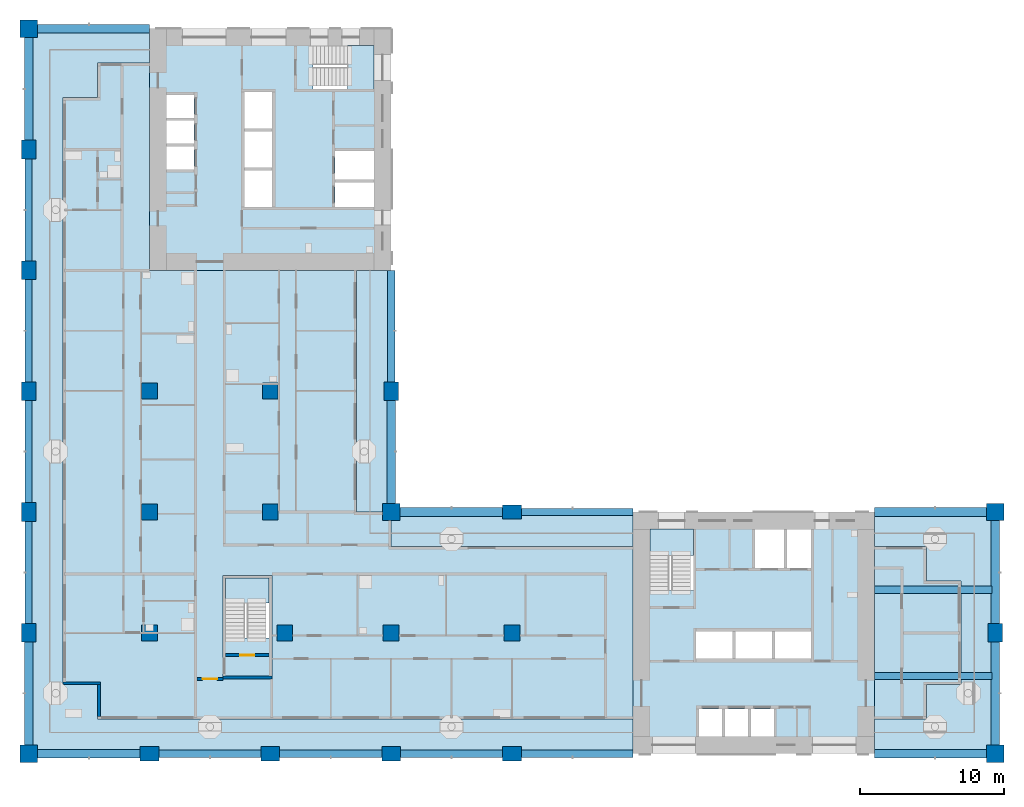
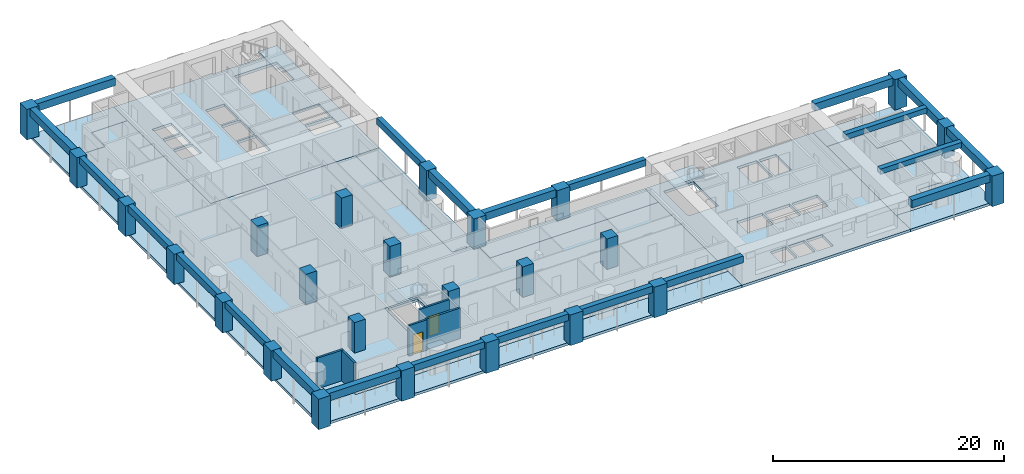
# One storey, part 1 of 18: 25 columns, 22 beams, 12 slabs, 5 walls, 2 doors, 2 openings, 3 elements without a shape of their own.
"""IFC4 building model written with IfcOpenShell, lengths in metres."""

from ifc_helpers import new_model, si_unit, direction, frame, frame_2d, origin, origin_2d, place, context, subcontext, project, spatial, polyline, rectangle, outline, extrude, material, layer, layer_set, material_profile, profile_set, type_object, element, fill, aggregate, save


model = new_model("IFC4")

# Units and contexts
model_context = context("Model", 3, precision=1e-05, world=origin(), true_north=direction((0.0, 1.0)))
body_context = subcontext(model_context, "Body", "Model", "MODEL_VIEW")
ifc_project = project(units=[si_unit("LENGTHUNIT", "METRE"), si_unit("AREAUNIT", "SQUARE_METRE"), si_unit("VOLUMEUNIT", "CUBIC_METRE"), si_unit("PLANEANGLEUNIT", "RADIAN"), si_unit("MASSUNIT", "GRAM", prefix="KILO")], contexts=[model_context])

# Site, building, storey
site_placement = place(None, origin())
site = spatial("IfcSite", under=ifc_project, at=site_placement, CompositionType="ELEMENT")
building_placement = place(site_placement, origin())
building = spatial("IfcBuilding", under=site, at=building_placement, Name="Vermilion Gate Residences", CompositionType="ELEMENT")
storey_placement = place(building_placement, frame((0.0, 0.0, 105.699951171875)))
storey = spatial("IfcBuildingStorey", under=building, at=storey_placement, Name="L26", CompositionType="ELEMENT", Elevation=105.699951171875)

# Columns
ifc_material_1 = material(Name="Concrete C70", Category="concrete")
ifc_material_profile_1 = material_profile(ifc_material_1, rectangle(XDim=1.10009765625, YDim=1.10009765625, at=origin_2d()), Name="RC-1100x1100")
ifc_profile_set_1 = profile_set([ifc_material_profile_1], Name="Concrete C70")
column_type_1 = type_object("IfcColumnType", Name="RC COLUMN 1100 X 1100 C70", PredefinedType="COLUMN", material=ifc_profile_set_1)
for number, where, z_axis, x_axis, name in (
    (1, (8.39990234375, 16.800048828125, 0.0), (0.0, 0.0, 1.0), (1.0, 0.0, 0.0), "Column 2-C L26"),
    (2, (8.39990234375, 25.199951171875, 0.0), (0.0, 0.0, 1.0), (1.0, 0.0, 0.0), "Column 2-D L26"),
    (3, (8.39990234375, 33.60009765625, 0.0), (0.0, 0.0, 1.0), (1.0, 0.0, 0.0), "Column 2-E L26"),
    (4, (17.800048828125, 16.800048828125, 0.0), (0.0, 0.0, 1.0), (1.0, 0.0, 0.0), "Column 3-C L26"),
    (5, (16.800048828125, 25.199951171875, 0.0), (0.0, 0.0, 1.0), (1.0, 0.0, 0.0), "Column 3-D L26"),
    (6, (16.800048828125, 33.60009765625, 0.0), (0.0, 0.0, 1.0), (1.0, 0.0, 0.0), "Column 3-E L26"),
    (7, (25.199951171875, 16.800048828125, 0.0), (0.0, 0.0, 1.0), (1.0, 0.0, 0.0), "Column 4-C L26"),
    (8, (33.60009765625, 16.800048828125, 0.0), (0.0, 0.0, 1.0), (1.0, 0.0, 0.0), "Column 5-C L26"),
):
    element("IfcColumn", number, at=place(storey_placement, frame(where, z_axis=z_axis, x_axis=x_axis)), inside=storey, type_object=column_type_1, Name=name, PredefinedType="COLUMN", context=body_context, shape_type="SweptSolid", body=[
        extrude(rectangle(XDim=1.10009765625, YDim=1.10009765625, at=origin_2d()), origin(), (0.0, 0.0, 1.0), 3.219970703125),
    ])
ifc_material_2 = material(Name="Concrete C70", Category="concrete")
ifc_material_profile_2 = material_profile(ifc_material_2, rectangle(XDim=1.199951171875, YDim=1.199951171875, at=origin_2d()), Name="RC-1200x1200")
ifc_profile_set_2 = profile_set([ifc_material_profile_2], Name="Concrete C70")
column_type_2 = type_object("IfcColumnType", Name="RC COLUMN 1200 X 1200 C70", PredefinedType="COLUMN", material=ifc_profile_set_2)
for number, where, z_axis, x_axis, name in (
    (9, (0.0, 8.39990234375, 0.0), (0.0, 0.0, 1.0), (1.0, 0.0, 0.0), "Column 1-B L26"),
    (10, (0.0, 58.800048828125, 0.0), (0.0, 0.0, 1.0), (1.0, 0.0, 0.0), "Column 1-H L26"),
    (11, (25.199951171875, 25.199951171875, 0.0), (0.0, 0.0, 1.0), (1.0, 0.0, 0.0), "Column 4-D L26"),
    (12, (67.199951171875, 8.39990234375, 0.0), (0.0, 0.0, 1.0), (1.0, 0.0, 0.0), "Column 9-B L26"),
    (13, (67.199951171875, 25.199951171875, 0.0), (0.0, 0.0, 1.0), (1.0, 0.0, 0.0), "Column 9-D L26"),
):
    element("IfcColumn", number, at=place(storey_placement, frame(where, z_axis=z_axis, x_axis=x_axis)), inside=storey, type_object=column_type_2, Name=name, PredefinedType="COLUMN", context=body_context, shape_type="SweptSolid", body=[
        extrude(rectangle(XDim=1.199951171875, YDim=1.199951171875, at=origin_2d()), origin(), (0.0, 0.0, 1.0), 3.219970703125),
    ])
ifc_material_3 = material(Name="Concrete C70", Category="concrete")
ifc_material_profile_3 = material_profile(ifc_material_3, rectangle(XDim=1.300048828125, YDim=1.0, at=origin_2d()), Name="RC-1300x1000")
ifc_profile_set_3 = profile_set([ifc_material_profile_3], Name="Concrete C70")
column_type_3 = type_object("IfcColumnType", Name="RC COLUMN 1300 X 1000 C70", PredefinedType="COLUMN", material=ifc_profile_set_3)
for number, where, z_axis, x_axis, name in (
    (14, (0.0, 16.800048828125, 0.0), (0.0, 0.0, 1.0), (0.0, 1.0, 0.0), "Column 1-C L26"),
    (15, (0.0, 25.199951171875, 0.0), (0.0, 0.0, 1.0), (0.0, 1.0, 0.0), "Column 1-D L26"),
    (16, (0.0, 33.60009765625, 0.0), (0.0, 0.0, 1.0), (0.0, 1.0, 0.0), "Column 1-E L26"),
    (17, (0.0, 42.0, 0.0), (0.0, 0.0, 1.0), (0.0, 1.0, 0.0), "Column 1-F L26"),
    (18, (0.0, 50.39990234375, 0.0), (0.0, 0.0, 1.0), (0.0, 1.0, 0.0), "Column 1-G L26"),
    (19, (8.39990234375, 8.39990234375, 0.0), (0.0, 0.0, 1.0), (1.0, 0.0, 0.0), "Column 2-B L26"),
    (20, (16.800048828125, 8.39990234375, 0.0), (0.0, 0.0, 1.0), (1.0, 0.0, 0.0), "Column 3-B L26"),
    (21, (25.199951171875, 8.39990234375, 0.0), (0.0, 0.0, 1.0), (1.0, 0.0, 0.0), "Column 4-B L26"),
    (22, (25.199951171875, 33.60009765625, 0.0), (0.0, 0.0, 1.0), (0.0, 1.0, 0.0), "Column 4-E L26"),
    (23, (33.60009765625, 8.39990234375, 0.0), (0.0, 0.0, 1.0), (1.0, 0.0, 0.0), "Column 5-B L26"),
    (24, (33.60009765625, 25.199951171875, 0.0), (0.0, 0.0, 1.0), (1.0, 0.0, 0.0), "Column 5-D L26"),
    (25, (67.199951171875, 16.800048828125, 0.0), (0.0, 0.0, 1.0), (0.0, 1.0, 0.0), "Column 9-C L26"),
):
    element("IfcColumn", number, at=place(storey_placement, frame(where, z_axis=z_axis, x_axis=x_axis)), inside=storey, type_object=column_type_3, Name=name, PredefinedType="COLUMN", context=body_context, shape_type="SweptSolid", body=[
        extrude(rectangle(XDim=1.300048828125, YDim=1.0, at=origin_2d()), origin(), (0.0, 0.0, 1.0), 3.219970703125),
    ])

# Beams
ifc_material_4 = material(Name="Concrete C60 red-oxide pigmented", Category="concrete")
ifc_material_profile_4 = material_profile(ifc_material_4, rectangle(XDim=0.60009765625, YDim=0.800048828125, at=origin_2d()), Name="RC-600x800")
ifc_profile_set_4 = profile_set([ifc_material_profile_4], Name="Concrete C60 red-oxide pigmented")
beam_type_1 = type_object("IfcBeamType", Name="RC CORNER EDGE BEAM 600 X 800 C60", PredefinedType="BEAM", material=ifc_profile_set_4)
for number, where, z_axis, x_axis, name in (
    (26, (0.60009765625, 8.39990234375, 2.820068359375), (1.0, 0.0, 0.0), (0.0, 1.0, 0.0), "Corner edge beam L26 1"),
    (27, (0.0, 9.0, 2.820068359375), (0.0, 1.0, 0.0), (-1.0, 0.0, 0.0), "Corner edge beam L26 2"),
):
    element("IfcBeam", number, at=place(storey_placement, frame(where, z_axis=z_axis, x_axis=x_axis)), inside=storey, type_object=beam_type_1, Name=name, PredefinedType="BEAM", context=body_context, shape_type="SweptSolid", body=[
        extrude(rectangle(XDim=0.60009765625, YDim=0.800048828125, at=origin_2d()), origin(), (0.0, 0.0, 1.0), 7.14990234375),
    ])
beam_1_placement = place(storey_placement, frame((0.60009765625, 58.800048828125, 2.820068359375), z_axis=(1.0, 0.0, 0.0), x_axis=(0.0, 1.0, 0.0)))
element("IfcBeam", 28, at=beam_1_placement, inside=storey, type_object=beam_type_1, Name="Corner edge beam L26 7", PredefinedType="BEAM", context=body_context, shape_type="SweptSolid", body=[
    extrude(rectangle(XDim=0.60009765625, YDim=0.800048828125, at=origin_2d()), origin(), (0.0, 0.0, 1.0), 7.7998046875),
])
for number, where, z_axis, x_axis, name in (
    (29, (0.0, 51.050048828125, 2.820068359375), (0.0, 1.0, 0.0), (-1.0, 0.0, 0.0), "Corner edge beam L26 8"),
    (30, (25.199951171875, 25.800048828125, 2.820068359375), (0.0, 1.0, 0.0), (-1.0, 0.0, 0.0), "Corner edge beam L26 11"),
    (31, (25.800048828125, 25.199951171875, 2.820068359375), (1.0, 0.0, 0.0), (0.0, 1.0, 0.0), "Corner edge beam L26 14"),
):
    element("IfcBeam", number, at=place(storey_placement, frame(where, z_axis=z_axis, x_axis=x_axis)), inside=storey, type_object=beam_type_1, Name=name, PredefinedType="BEAM", context=body_context, shape_type="SweptSolid", body=[
        extrude(rectangle(XDim=0.60009765625, YDim=0.800048828125, at=origin_2d()), origin(), (0.0, 0.0, 1.0), 7.14990234375),
    ])
beam_2_placement = place(storey_placement, frame((58.800048828125, 8.39990234375, 2.820068359375), z_axis=(1.0, 0.0, 0.0), x_axis=(0.0, 1.0, 0.0)))
element("IfcBeam", 32, at=beam_2_placement, inside=storey, type_object=beam_type_1, Name="Corner edge beam L26 17", PredefinedType="BEAM", context=body_context, shape_type="SweptSolid", body=[
    extrude(rectangle(XDim=0.60009765625, YDim=0.800048828125, at=origin_2d()), origin(), (0.0, 0.0, 1.0), 7.800048828125),
])
beam_3_placement = place(storey_placement, frame((67.199951171875, 9.0, 2.820068359375), z_axis=(0.0, 1.0, 0.0), x_axis=(-1.0, 0.0, 0.0)))
element("IfcBeam", 33, at=beam_3_placement, inside=storey, type_object=beam_type_1, Name="Corner edge beam L26 18", PredefinedType="BEAM", context=body_context, shape_type="SweptSolid", body=[
    extrude(rectangle(XDim=0.60009765625, YDim=0.800048828125, at=origin_2d()), origin(), (0.0, 0.0, 1.0), 7.14990234375),
])
beam_4_placement = place(storey_placement, frame((67.199951171875, 17.449951171875, 2.820068359375), z_axis=(0.0, 1.0, 0.0), x_axis=(-1.0, 0.0, 0.0)))
element("IfcBeam", 34, at=beam_4_placement, inside=storey, type_object=beam_type_1, Name="Corner edge beam L26 19", PredefinedType="BEAM", context=body_context, shape_type="SweptSolid", body=[
    extrude(rectangle(XDim=0.60009765625, YDim=0.800048828125, at=origin_2d()), origin(), (0.0, 0.0, 1.0), 7.150146484375),
])
beam_5_placement = place(storey_placement, frame((58.800048828125, 25.199951171875, 2.820068359375), z_axis=(1.0, 0.0, 0.0), x_axis=(0.0, 1.0, 0.0)))
element("IfcBeam", 35, at=beam_5_placement, inside=storey, type_object=beam_type_1, Name="Corner edge beam L26 20", PredefinedType="BEAM", context=body_context, shape_type="SweptSolid", body=[
    extrude(rectangle(XDim=0.60009765625, YDim=0.800048828125, at=origin_2d()), origin(), (0.0, 0.0, 1.0), 7.800048828125),
])
ifc_material_5 = material(Name="Concrete C60 red-oxide pigmented", Category="concrete")
ifc_material_profile_5 = material_profile(ifc_material_5, rectangle(XDim=0.5, YDim=0.699951171875, at=origin_2d()), Name="RC-500x700")
ifc_profile_set_5 = profile_set([ifc_material_profile_5], Name="Concrete C60 red-oxide pigmented")
beam_type_2 = type_object("IfcBeamType", Name="RC EDGE BEAM 500 X 700 C60", PredefinedType="BEAM", material=ifc_profile_set_5)
beam_6_placement = place(storey_placement, frame((0.0, 17.449951171875, 2.8701171875), z_axis=(0.0, 1.0, 0.0), x_axis=(-1.0, 0.0, 0.0)))
element("IfcBeam", 36, at=beam_6_placement, inside=storey, type_object=beam_type_2, Name="Edge beam L26 3", PredefinedType="BEAM", context=body_context, shape_type="SweptSolid", body=[
    extrude(rectangle(XDim=0.5, YDim=0.699951171875, at=origin_2d()), origin(), (0.0, 0.0, 1.0), 7.10009765625),
])
beam_7_placement = place(storey_placement, frame((0.0, 25.85009765625, 2.8701171875), z_axis=(0.0, 1.0, 0.0), x_axis=(-1.0, 0.0, 0.0)))
element("IfcBeam", 37, at=beam_7_placement, inside=storey, type_object=beam_type_2, Name="Edge beam L26 4", PredefinedType="BEAM", context=body_context, shape_type="SweptSolid", body=[
    extrude(rectangle(XDim=0.5, YDim=0.699951171875, at=origin_2d()), origin(), (0.0, 0.0, 1.0), 7.099853515625),
])
for number, where, z_axis, x_axis, name in (
    (38, (0.0, 34.25, 2.8701171875), (0.0, 1.0, 0.0), (-1.0, 0.0, 0.0), "Edge beam L26 5"),
    (39, (0.0, 42.64990234375, 2.8701171875), (0.0, 1.0, 0.0), (-1.0, 0.0, 0.0), "Edge beam L26 6"),
):
    element("IfcBeam", number, at=place(storey_placement, frame(where, z_axis=z_axis, x_axis=x_axis)), inside=storey, type_object=beam_type_2, Name=name, PredefinedType="BEAM", context=body_context, shape_type="SweptSolid", body=[
        extrude(rectangle(XDim=0.5, YDim=0.699951171875, at=origin_2d()), origin(), (0.0, 0.0, 1.0), 7.10009765625),
    ])
beam_8_placement = place(storey_placement, frame((9.050048828125, 8.39990234375, 2.8701171875), z_axis=(1.0, 0.0, 0.0), x_axis=(0.0, 1.0, 0.0)))
element("IfcBeam", 40, at=beam_8_placement, inside=storey, type_object=beam_type_2, Name="Edge beam L26 9", PredefinedType="BEAM", context=body_context, shape_type="SweptSolid", body=[
    extrude(rectangle(XDim=0.5, YDim=0.699951171875, at=origin_2d()), origin(), (0.0, 0.0, 1.0), 7.099853515625),
])
beam_9_placement = place(storey_placement, frame((17.449951171875, 8.39990234375, 2.8701171875), z_axis=(1.0, 0.0, 0.0), x_axis=(0.0, 1.0, 0.0)))
element("IfcBeam", 41, at=beam_9_placement, inside=storey, type_object=beam_type_2, Name="Edge beam L26 10", PredefinedType="BEAM", context=body_context, shape_type="SweptSolid", body=[
    extrude(rectangle(XDim=0.5, YDim=0.699951171875, at=origin_2d()), origin(), (0.0, 0.0, 1.0), 7.10009765625),
])
beam_10_placement = place(storey_placement, frame((25.199951171875, 34.25, 2.8701171875), z_axis=(0.0, 1.0, 0.0), x_axis=(-1.0, 0.0, 0.0)))
element("IfcBeam", 42, at=beam_10_placement, inside=storey, type_object=beam_type_2, Name="Edge beam L26 12", PredefinedType="BEAM", context=body_context, shape_type="SweptSolid", body=[
    extrude(rectangle(XDim=0.5, YDim=0.699951171875, at=origin_2d()), origin(), (0.0, 0.0, 1.0), 7.75),
])
beam_11_placement = place(storey_placement, frame((25.85009765625, 8.39990234375, 2.8701171875), z_axis=(1.0, 0.0, 0.0), x_axis=(0.0, 1.0, 0.0)))
element("IfcBeam", 43, at=beam_11_placement, inside=storey, type_object=beam_type_2, Name="Edge beam L26 13", PredefinedType="BEAM", context=body_context, shape_type="SweptSolid", body=[
    extrude(rectangle(XDim=0.5, YDim=0.699951171875, at=origin_2d()), origin(), (0.0, 0.0, 1.0), 7.099853515625),
])
for number, where, z_axis, x_axis, name in (
    (44, (34.25, 8.39990234375, 2.8701171875), (1.0, 0.0, 0.0), (0.0, 1.0, 0.0), "Edge beam L26 15"),
    (45, (34.25, 25.199951171875, 2.8701171875), (1.0, 0.0, 0.0), (0.0, 1.0, 0.0), "Edge beam L26 16"),
):
    element("IfcBeam", number, at=place(storey_placement, frame(where, z_axis=z_axis, x_axis=x_axis)), inside=storey, type_object=beam_type_2, Name=name, PredefinedType="BEAM", context=body_context, shape_type="SweptSolid", body=[
        extrude(rectangle(XDim=0.5, YDim=0.699951171875, at=origin_2d()), origin(), (0.0, 0.0, 1.0), 7.75),
    ])
ifc_material_6 = material(Name="Concrete C60", Category="concrete")
ifc_material_profile_6 = material_profile(ifc_material_6, rectangle(XDim=0.5, YDim=0.550048828125, at=origin_2d()), Name="RC-500x550")
ifc_profile_set_6 = profile_set([ifc_material_profile_6], Name="Concrete C60")
beam_type_3 = type_object("IfcBeamType", Name="RC WING BEAM 500 X 550 C60", PredefinedType="BEAM", material=ifc_profile_set_6)
for number, where, z_axis, x_axis, name in (
    (46, (58.800048828125, 13.800048828125, 2.945068359375), (1.0, 0.0, 0.0), (0.0, 1.0, 0.0), "Wing-end beam L26 1"),
    (47, (58.800048828125, 19.800048828125, 2.945068359375), (1.0, 0.0, 0.0), (0.0, 1.0, 0.0), "Wing-end beam L26 2"),
):
    element("IfcBeam", number, at=place(storey_placement, frame(where, z_axis=z_axis, x_axis=x_axis)), inside=storey, type_object=beam_type_3, Name=name, PredefinedType="BEAM", context=body_context, shape_type="SweptSolid", body=[
        extrude(rectangle(XDim=0.5, YDim=0.550048828125, at=origin_2d()), origin(), (0.0, 0.0, 1.0), 8.14990234375),
    ])

# Slabs
ifc_material_7 = material(Name="Concrete C50", Category="concrete")
ifc_layer_1 = layer(ifc_material_7, 0.280029296875)
ifc_layer_set_1 = layer_set([ifc_layer_1], Name="RC CORE FLOOR SLAB 280 C50")
slab_type_1 = type_object("IfcSlabType", Name="RC CORE FLOOR SLAB 280 C50", PredefinedType="FLOOR", material=ifc_layer_set_1)
slab_1_placement = place(storey_placement, frame((0.0, 0.0, -0.280029296875)))
element("IfcSlab", 48, at=slab_1_placement, inside=storey, type_object=slab_type_1, Name="Core floor slab A26", PredefinedType="FLOOR", context=body_context, shape_type="SweptSolid", body=[
    extrude(outline(polyline([(42.0, 8.39990234375), (58.800048828125, 8.39990234375), (58.800048828125, 25.199951171875), (42.0, 25.199951171875), (42.0, 8.39990234375)]), holes=[polyline([(46.60009765625, 11.5), (48.199951171875, 11.5), (48.199951171875, 9.60009765625), (46.60009765625, 9.60009765625), (46.60009765625, 11.5)]), polyline([(48.39990234375, 11.5), (50.0, 11.5), (50.0, 9.60009765625), (48.39990234375, 9.60009765625), (48.39990234375, 11.5)]), polyline([(50.199951171875, 11.5), (51.800048828125, 11.5), (51.800048828125, 9.60009765625), (50.199951171875, 9.60009765625), (50.199951171875, 11.5)]), polyline([(46.39990234375, 16.89990234375), (48.933349609375, 16.89990234375), (48.933349609375, 15.0), (46.39990234375, 15.0), (46.39990234375, 16.89990234375)]), polyline([(49.13330078125, 16.89990234375), (51.666748046875, 16.89990234375), (51.666748046875, 15.0), (49.13330078125, 15.0), (49.13330078125, 16.89990234375)]), polyline([(51.86669921875, 16.89990234375), (54.39990234375, 16.89990234375), (54.39990234375, 15.0), (51.86669921875, 15.0), (51.86669921875, 16.89990234375)]), polyline([(43.199951171875, 24.0), (46.199951171875, 24.0), (46.199951171875, 19.75), (43.199951171875, 19.75), (43.199951171875, 24.0)]), polyline([(52.5, 24.0), (52.5, 21.300048828125), (50.5, 21.300048828125), (50.5, 24.0), (52.5, 24.0)]), polyline([(54.39990234375, 24.0), (54.39990234375, 21.300048828125), (52.699951171875, 21.300048828125), (52.699951171875, 24.0), (54.39990234375, 24.0)])]), origin(), (0.0, 0.0, 1.0), 0.280029296875),
])
slab_2_placement = place(storey_placement, frame((0.0, 0.0, -0.280029296875)))
element("IfcSlab", 49, at=slab_2_placement, inside=storey, type_object=slab_type_1, Name="Core floor slab B26", PredefinedType="FLOOR", context=body_context, shape_type="SweptSolid", body=[
    extrude(outline(polyline([(8.39990234375, 42.0), (25.199951171875, 42.0), (25.199951171875, 58.800048828125), (8.39990234375, 58.800048828125), (8.39990234375, 42.0)]), holes=[polyline([(21.300048828125, 48.10009765625), (24.0, 48.10009765625), (24.0, 46.39990234375), (21.300048828125, 46.39990234375), (21.300048828125, 48.10009765625)]), polyline([(15.0, 48.933349609375), (16.89990234375, 48.933349609375), (16.89990234375, 46.39990234375), (15.0, 46.39990234375), (15.0, 48.933349609375)]), polyline([(21.300048828125, 50.300048828125), (24.0, 50.300048828125), (24.0, 48.300048828125), (21.300048828125, 48.300048828125), (21.300048828125, 50.300048828125)]), polyline([(9.60009765625, 50.60009765625), (11.5, 50.60009765625), (11.5, 49.0), (9.60009765625, 49.0), (9.60009765625, 50.60009765625)]), polyline([(15.0, 51.666748046875), (16.89990234375, 51.666748046875), (16.89990234375, 49.13330078125), (15.0, 49.13330078125), (15.0, 51.666748046875)]), polyline([(9.60009765625, 52.39990234375), (11.5, 52.39990234375), (11.5, 50.800048828125), (9.60009765625, 50.800048828125), (9.60009765625, 52.39990234375)]), polyline([(15.0, 54.39990234375), (16.89990234375, 54.39990234375), (16.89990234375, 51.86669921875), (15.0, 51.86669921875), (15.0, 54.39990234375)]), polyline([(11.5, 54.199951171875), (11.5, 52.60009765625), (9.60009765625, 52.60009765625), (9.60009765625, 54.199951171875), (11.5, 54.199951171875)]), polyline([(24.0, 57.60009765625), (24.0, 54.60009765625), (19.75, 54.60009765625), (19.75, 57.60009765625), (24.0, 57.60009765625)])]), origin(), (0.0, 0.0, 1.0), 0.280029296875),
])
slab_3_placement = place(storey_placement, frame((0.0, 0.0, -0.280029296875)))
element("IfcSlab", 50, at=slab_3_placement, inside=storey, type_object=slab_type_1, Name="Apex stair floor slab 26", PredefinedType="FLOOR", context=body_context, shape_type="SweptSolid", body=[
    extrude(outline(polyline([(13.5, 13.60009765625), (16.89990234375, 13.60009765625), (16.89990234375, 20.800048828125), (13.5, 20.800048828125), (13.5, 13.60009765625)]), holes=[polyline([(16.699951171875, 20.60009765625), (16.699951171875, 16.449951171875), (13.699951171875, 16.449951171875), (13.699951171875, 20.60009765625), (16.699951171875, 20.60009765625)])]), origin(), (0.0, 0.0, 1.0), 0.280029296875),
])
ifc_material_8 = material(Name="Concrete C50", Category="concrete")
ifc_layer_2 = layer(ifc_material_8, 0.280029296875)
ifc_layer_set_2 = layer_set([ifc_layer_2], Name="RC FLAT PLATE 280 C50")
slab_type_2 = type_object("IfcSlabType", Name="RC FLAT PLATE 280 C50", PredefinedType="FLOOR", material=ifc_layer_set_2)
slab_4_placement = place(storey_placement, frame((0.0, 0.0, -0.280029296875)))
element("IfcSlab", 51, at=slab_4_placement, inside=storey, type_object=slab_type_2, Name="Floor slab L26", PredefinedType="FLOOR", context=body_context, shape_type="SweptSolid", body=[
    extrude(outline(polyline([(22.800048828125, 25.199951171875), (22.800048828125, 42.0), (8.39990234375, 42.0), (8.39990234375, 56.39990234375), (4.800048828125, 56.39990234375), (4.800048828125, 54.0), (2.39990234375, 54.0), (2.39990234375, 13.199951171875), (4.800048828125, 13.199951171875), (4.800048828125, 10.800048828125), (42.0, 10.800048828125), (42.0, 22.800048828125), (25.199951171875, 22.800048828125), (25.199951171875, 25.199951171875), (22.800048828125, 25.199951171875)]), holes=[polyline([(13.5, 13.60009765625), (13.5, 20.800048828125), (16.89990234375, 20.800048828125), (16.89990234375, 13.60009765625), (13.5, 13.60009765625)])]), origin(), (0.0, 0.0, 1.0), 0.280029296875),
])
slab_5_placement = place(storey_placement, frame((0.0, 0.0, -0.280029296875)))
element("IfcSlab", 52, at=slab_5_placement, inside=storey, type_object=slab_type_2, Name="Floor slab L26", PredefinedType="FLOOR", context=body_context, shape_type="SweptSolid", body=[
    extrude(outline(polyline([(58.800048828125, 22.800048828125), (58.800048828125, 10.800048828125), (62.39990234375, 10.800048828125), (62.39990234375, 13.199951171875), (64.800048828125, 13.199951171875), (64.800048828125, 20.39990234375), (62.39990234375, 20.39990234375), (62.39990234375, 22.800048828125), (58.800048828125, 22.800048828125)])), origin(), (0.0, 0.0, 1.0), 0.280029296875),
])
ifc_material_9 = material(Name="Concrete C50 red-oxide pigmented", Category="concrete")
ifc_layer_3 = layer(ifc_material_9, 0.280029296875)
ifc_layer_set_3 = layer_set([ifc_layer_3], Name="RC LOGGIA SLAB 280 C50")
slab_type_3 = type_object("IfcSlabType", Name="RC LOGGIA SLAB 280 C50", PredefinedType="FLOOR", material=ifc_layer_set_3)
slab_6_placement = place(storey_placement, frame((0.0, 0.0, -0.280029296875)))
element("IfcSlab", 53, at=slab_6_placement, inside=storey, type_object=slab_type_3, Name="Loggia slab L26", PredefinedType="FLOOR", context=body_context, shape_type="SweptSolid", body=[
    extrude(outline(polyline([(0.0, 58.800048828125), (0.0, 8.39990234375), (42.0, 8.39990234375), (42.0, 10.800048828125), (4.800048828125, 10.800048828125), (4.800048828125, 13.199951171875), (2.39990234375, 13.199951171875), (2.39990234375, 54.0), (4.800048828125, 54.0), (4.800048828125, 56.39990234375), (8.39990234375, 56.39990234375), (8.39990234375, 58.800048828125), (0.0, 58.800048828125)])), origin(), (0.0, 0.0, 1.0), 0.280029296875),
])
slab_7_placement = place(storey_placement, frame((0.0, 0.0, -0.280029296875)))
element("IfcSlab", 54, at=slab_7_placement, inside=storey, type_object=slab_type_3, Name="Loggia slab L26", PredefinedType="FLOOR", context=body_context, shape_type="SweptSolid", body=[
    extrude(outline(polyline([(64.800048828125, 20.39990234375), (64.800048828125, 13.199951171875), (62.39990234375, 13.199951171875), (62.39990234375, 10.800048828125), (58.800048828125, 10.800048828125), (58.800048828125, 8.39990234375), (67.199951171875, 8.39990234375), (67.199951171875, 25.199951171875), (58.800048828125, 25.199951171875), (58.800048828125, 22.800048828125), (62.39990234375, 22.800048828125), (62.39990234375, 20.39990234375), (64.800048828125, 20.39990234375)])), origin(), (0.0, 0.0, 1.0), 0.280029296875),
])
slab_8_placement = place(storey_placement, frame((0.0, 0.0, -0.280029296875)))
element("IfcSlab", 55, at=slab_8_placement, inside=storey, type_object=slab_type_3, Name="Loggia slab L26", PredefinedType="FLOOR", context=body_context, shape_type="SweptSolid", body=[
    extrude(outline(polyline([(25.199951171875, 22.800048828125), (42.0, 22.800048828125), (42.0, 25.199951171875), (25.199951171875, 25.199951171875), (25.199951171875, 22.800048828125)])), origin(), (0.0, 0.0, 1.0), 0.280029296875),
])
slab_9_placement = place(storey_placement, frame((0.0, 0.0, -0.280029296875)))
element("IfcSlab", 56, at=slab_9_placement, inside=storey, type_object=slab_type_3, Name="Loggia slab L26", PredefinedType="FLOOR", context=body_context, shape_type="SweptSolid", body=[
    extrude(outline(polyline([(25.199951171875, 25.199951171875), (25.199951171875, 42.0), (22.800048828125, 42.0), (22.800048828125, 25.199951171875), (25.199951171875, 25.199951171875)])), origin(), (0.0, 0.0, 1.0), 0.280029296875),
])

# Stair, slab
ifc_material_10 = material(Name="Concrete C50", Category="concrete")
stair_type = type_object("IfcStairType", Name="SPECIAL ESCAPE STAIR 1300", PredefinedType="HALF_TURN_STAIR", material=ifc_material_10)
stair_1_placement = place(storey_placement, origin())
stair_1 = element("IfcStair", 57, at=stair_1_placement, inside=storey, type_object=stair_type, Name="Special escape stair STA1-26", PredefinedType="HALF_TURN_STAIR")
ifc_material_11 = material(Name="Concrete C50", Category="concrete")
ifc_layer_4 = layer(ifc_material_11, 0.199951171875)
ifc_layer_set_4 = layer_set([ifc_layer_4], Name="STAIR LANDING 200 C50")
slab_type_4 = type_object("IfcSlabType", Name="STAIR LANDING 200 C50", PredefinedType="LANDING", material=ifc_layer_set_4)
slab_10_placement = place(storey_placement, frame((0.0, 0.0, 1.550048828125)))
slab_10 = element("IfcSlab", 58, at=slab_10_placement, type_object=slab_type_4, Name="STA1-26 landing 1", PredefinedType="LANDING", context=body_context, shape_type="SweptSolid", body=[
    extrude(outline(polyline([(46.219970703125, 22.179931640625), (46.219970703125, 24.02001953125), (43.179931640625, 24.02001953125), (43.179931640625, 22.179931640625), (46.219970703125, 22.179931640625)])), origin(), (0.0, 0.0, 1.0), 0.199951171875),
])
aggregate(stair_1, [slab_10])

stair_2_placement = place(storey_placement, origin())
stair_2 = element("IfcStair", 59, at=stair_2_placement, inside=storey, type_object=stair_type, Name="Special escape stair STB1-26", PredefinedType="HALF_TURN_STAIR")
slab_11_placement = place(storey_placement, frame((0.0, 0.0, 1.550048828125)))
slab_11 = element("IfcSlab", 60, at=slab_11_placement, type_object=slab_type_4, Name="STB1-26 landing 1", PredefinedType="LANDING", context=body_context, shape_type="SweptSolid", body=[
    extrude(outline(polyline([(24.02001953125, 54.580078125), (24.02001953125, 57.6201171875), (22.179931640625, 57.6201171875), (22.179931640625, 54.580078125), (24.02001953125, 54.580078125)])), origin(), (0.0, 0.0, 1.0), 0.199951171875),
])
aggregate(stair_2, [slab_11])

stair_3_placement = place(storey_placement, origin())
stair_3 = element("IfcStair", 61, at=stair_3_placement, inside=storey, type_object=stair_type, Name="Special escape stair STC1-26", PredefinedType="HALF_TURN_STAIR")
slab_12_placement = place(storey_placement, frame((0.0, 0.0, 1.550048828125)))
slab_12 = element("IfcSlab", 62, at=slab_12_placement, type_object=slab_type_4, Name="STC1-26 landing 1", PredefinedType="LANDING", context=body_context, shape_type="SweptSolid", body=[
    extrude(outline(polyline([(16.719970703125, 18.8798828125), (16.719970703125, 20.6201171875), (13.679931640625, 20.6201171875), (13.679931640625, 18.8798828125), (16.719970703125, 18.8798828125)])), origin(), (0.0, 0.0, 1.0), 0.199951171875),
])
aggregate(stair_3, [slab_12])

# Walls
ifc_material_12 = material(Name="Insulated steel stud wall with terracotta rainscreen", Category="masonry")
ifc_layer_5 = layer(ifc_material_12, 0.199951171875)
ifc_layer_set_5 = layer_set([ifc_layer_5], Name="EXTERNAL WALL 200 TERRACOTTA RAINSCREEN")
wall_type_1 = type_object("IfcWallType", Name="EXTERNAL WALL 200 TERRACOTTA RAINSCREEN", PredefinedType="SOLIDWALL", material=ifc_layer_set_5)
wall_1_placement = place(storey_placement, frame((2.39990234375, 13.300048828125, 0.0), z_axis=(0.0, 0.0, 1.0), x_axis=(1.0, 0.0, 0.0)))
element("IfcWall", 63, at=wall_1_placement, inside=storey, type_object=wall_type_1, Name="External wall", PredefinedType="SOLIDWALL", context=body_context, shape_type="SweptSolid", body=[
    extrude(rectangle(XDim=2.60009765625, YDim=0.199951171875, at=frame_2d((1.300048828125, 0.0))), origin(), (0.0, 0.0, 1.0), 3.219970703125),
])
wall_2_placement = place(storey_placement, frame((4.89990234375, 13.199951171875, 0.0), z_axis=(0.0, 0.0, 1.0), x_axis=(0.0, -1.0, 0.0)))
element("IfcWall", 64, at=wall_2_placement, inside=storey, type_object=wall_type_1, Name="External wall", PredefinedType="SOLIDWALL", context=body_context, shape_type="SweptSolid", body=[
    extrude(rectangle(XDim=2.199951171875, YDim=0.199951171875, at=frame_2d((1.10009765625, 0.0))), origin(), (0.0, 0.0, 1.0), 3.219970703125),
])

# Wall, opening, door
ifc_material_13 = material(Name="Fire-rated plasterboard on steel studs", Category="steel")
ifc_layer_6 = layer(ifc_material_13, 0.199951171875)
ifc_layer_set_6 = layer_set([ifc_layer_6], Name="PARTY WALL 200 EI 120")
wall_type_2 = type_object("IfcWallType", Name="PARTY WALL 200 EI 120", PredefinedType="PARTITIONING", material=ifc_layer_set_6)
wall_3_placement = place(storey_placement, frame((11.699951171875, 13.60009765625, 0.0), z_axis=(0.0, 0.0, 1.0), x_axis=(1.0, 0.0, 0.0)))
wall_3 = element("IfcWall", 65, at=wall_3_placement, inside=storey, type_object=wall_type_2, Name="Party and corridor wall", PredefinedType="PARTITIONING", context=body_context, shape_type="SweptSolid", body=[
    extrude(rectangle(XDim=1.800048828125, YDim=0.199951171875, at=frame_2d((0.89990234375, 0.0))), origin(), (0.0, 0.0, 1.0), 3.219970703125),
])
opening_1_placement = place(wall_3_placement, frame((0.39990234375, 0.0, 0.0)))
opening_1 = element("IfcOpeningElement", 66, at=opening_1_placement, cuts=wall_3, Name="Opening DA25001", PredefinedType="OPENING", context=body_context, shape_type="SweptSolid", body=[
    extrude(rectangle(XDim=1.0, YDim=2.10009765625, at=frame_2d((0.5, 1.050048828125))), frame((0.0, 0.10986328125, 0.0), z_axis=(0.0, -1.0, 0.0), x_axis=(1.0, 0.0, 0.0)), (0.0, 0.0, 1.0), 0.219970703125),
])
ifc_material_14 = material(Name="Steel", Category="steel")
door_type_1 = type_object("IfcDoorType", Name="ENTRANCE DOOR 1000 X 2100 FD30", OperationType="SINGLE_SWING_LEFT", PredefinedType="DOOR", material=ifc_material_14)
door_1_placement = place(opening_1_placement, frame((1.0, 0.0, 0.0), z_axis=(0.0, 0.0, 1.0), x_axis=(-1.0, 0.0, 0.0)))
door_1 = element("IfcDoor", 67, at=door_1_placement, inside=storey, type_object=door_type_1, Name="Entrance door", OperationType="SINGLE_SWING_RIGHT", OverallHeight=2.10009765625, OverallWidth=1.0, PredefinedType="DOOR", context=body_context, shape_type="SweptSolid", body=[
    extrude(rectangle(XDim=1.0, YDim=2.10009765625, at=frame_2d((0.5, 1.050048828125))), frame((0.0, 0.02490234375, 0.0), z_axis=(0.0, -1.0, 0.0), x_axis=(1.0, 0.0, 0.0)), (0.0, 0.0, 1.0), 0.050048828125),
])
fill(opening_1, door_1)

# Wall
ifc_material_15 = material(Name="Concrete C60", Category="concrete")
ifc_layer_7 = layer(ifc_material_15, 0.199951171875)
ifc_layer_set_7 = layer_set([ifc_layer_7], Name="RC CORE INTERNAL WALL 200 C60")
wall_type_3 = type_object("IfcWallType", Name="RC CORE INTERNAL WALL 200 C60", PredefinedType="SHEAR", material=ifc_layer_set_7)
wall_4_placement = place(storey_placement, frame((13.5, 13.699951171875, 0.0), z_axis=(0.0, 0.0, 1.0), x_axis=(1.0, 0.0, 0.0)))
element("IfcWall", 68, at=wall_4_placement, inside=storey, type_object=wall_type_3, Name="Core internal wall C26-S", PredefinedType="SHEAR", context=body_context, shape_type="SweptSolid", body=[
    extrude(rectangle(XDim=3.39990234375, YDim=0.199951171875, at=frame_2d((1.699951171875, 0.0))), origin(), (0.0, 0.0, 1.0), 3.219970703125),
])

# Wall, opening, door
wall_5_placement = place(storey_placement, frame((13.699951171875, 15.25, 0.0), z_axis=(0.0, 0.0, 1.0), x_axis=(1.0, 0.0, 0.0)))
wall_5 = element("IfcWall", 69, at=wall_5_placement, inside=storey, type_object=wall_type_3, Name="Core internal wall C26-P", PredefinedType="SHEAR", context=body_context, shape_type="SweptSolid", body=[
    extrude(rectangle(XDim=3.0, YDim=0.199951171875, at=frame_2d((1.5, 0.0))), origin(), (0.0, 0.0, 1.0), 3.219970703125),
])
opening_2_placement = place(wall_5_placement, frame((1.0, 0.0, 0.0)))
opening_2 = element("IfcOpeningElement", 70, at=opening_2_placement, cuts=wall_5, Name="Opening DK26202", PredefinedType="OPENING", context=body_context, shape_type="SweptSolid", body=[
    extrude(rectangle(XDim=1.0, YDim=2.10009765625, at=frame_2d((0.5, 1.050048828125))), frame((0.0, 0.10986328125, 0.0), z_axis=(0.0, -1.0, 0.0), x_axis=(1.0, 0.0, 0.0)), (0.0, 0.0, 1.0), 0.219970703125),
])
ifc_material_16 = material(Name="Steel", Category="steel")
door_type_2 = type_object("IfcDoorType", Name="FIRE DOOR FD60 1000 X 2100", OperationType="SINGLE_SWING_LEFT", PredefinedType="DOOR", material=ifc_material_16)
door_2_placement = place(opening_2_placement, origin())
door_2 = element("IfcDoor", 71, at=door_2_placement, inside=storey, type_object=door_type_2, Name="Stair door C26", OperationType="SINGLE_SWING_LEFT", OverallHeight=2.10009765625, OverallWidth=1.0, PredefinedType="DOOR", context=body_context, shape_type="SweptSolid", body=[
    extrude(rectangle(XDim=1.0, YDim=2.10009765625, at=frame_2d((0.5, 1.050048828125))), frame((0.0, 0.02490234375, 0.0), z_axis=(0.0, -1.0, 0.0), x_axis=(1.0, 0.0, 0.0)), (0.0, 0.0, 1.0), 0.050048828125),
])
fill(opening_2, door_2)

save(model, "model.ifc")
